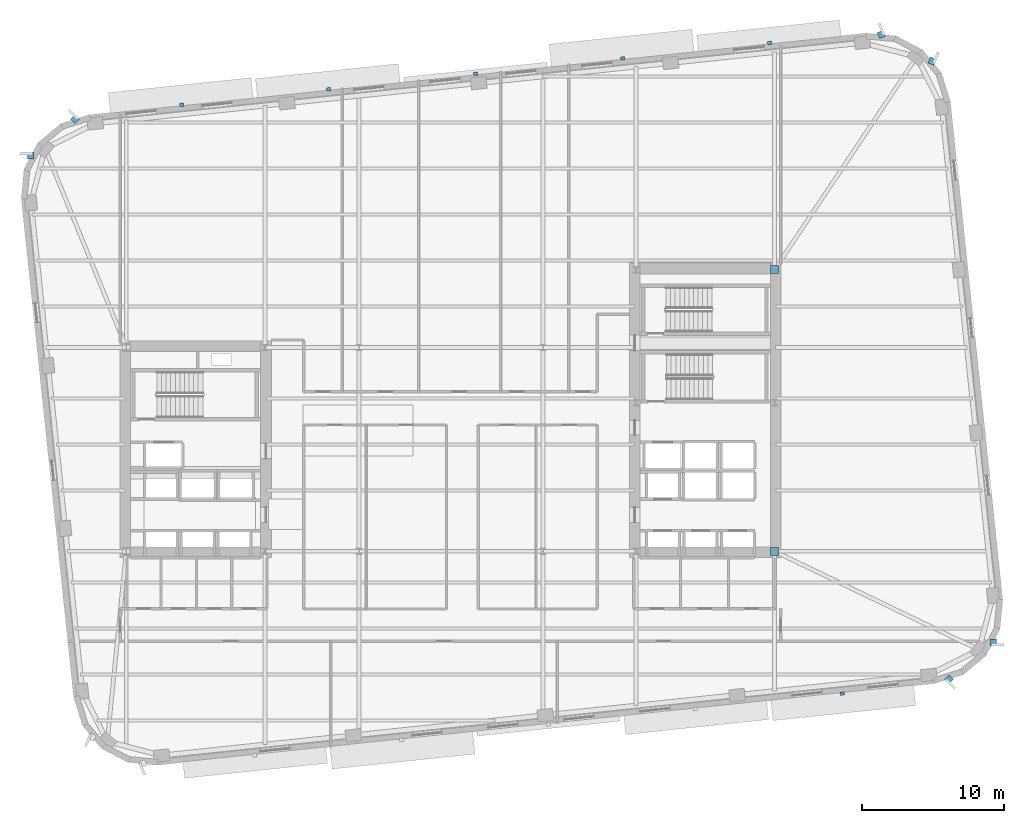
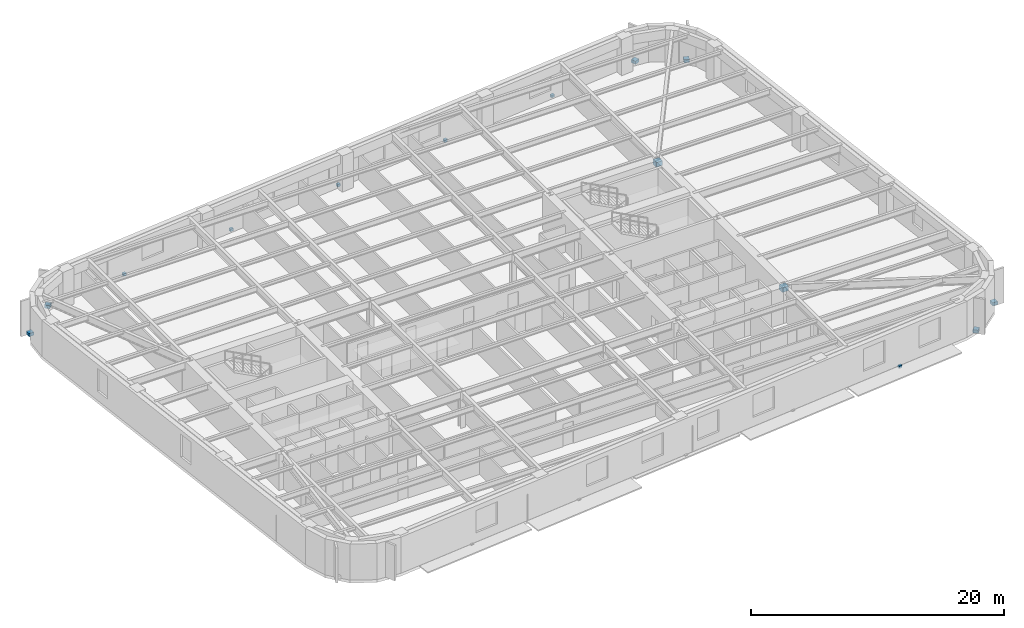
# One storey, part 8 of 15: 14 discrete accessories.
"""IFC4 building model written with IfcOpenShell, lengths in metres."""

from ifc_helpers import new_model, si_unit, direction, frame, origin, origin_2d, place, context, subcontext, project, spatial, rectangle, extrude, material, type_object, element, save


model = new_model("IFC4")

# Units and contexts
model_context = context("Model", 3, precision=1e-05, world=origin(), true_north=direction((0.0, 1.0)))
body_context = subcontext(model_context, "Body", "Model", "MODEL_VIEW")
ifc_project = project(units=[si_unit("LENGTHUNIT", "METRE"), si_unit("AREAUNIT", "SQUARE_METRE"), si_unit("VOLUMEUNIT", "CUBIC_METRE"), si_unit("PLANEANGLEUNIT", "RADIAN"), si_unit("MASSUNIT", "GRAM", prefix="KILO")], contexts=[model_context])

# Site, building, storey
site_placement = place(None, origin())
site = spatial("IfcSite", under=ifc_project, at=site_placement, CompositionType="ELEMENT")
building_placement = place(site_placement, origin())
building = spatial("IfcBuilding", under=site, at=building_placement, Name="Kolvaren Arena Tower", CompositionType="ELEMENT")
storey_placement = place(building_placement, frame((0.0, 0.0, 107.199951171875)))
storey = spatial("IfcBuildingStorey", under=building, at=storey_placement, Name="L24", CompositionType="ELEMENT", Elevation=107.199951171875)

# Discrete accessories
ifc_material_1 = material(Name="Stainless steel facade support bracket", Category="steel")
discrete_accessory_type_1 = type_object("IfcDiscreteAccessoryType", Name="ACC-BRKT-1", PredefinedType="BRACKET", material=ifc_material_1)
for number, where, z_axis, x_axis, name in (
    (1, (72.66943359375, 10.423828125, 0.02001953125), (0.0, 0.0, 1.0), (0.710184146885, -0.704015963962, 0.0), "Corner Fin Anchor Bracket (L24)"),
    (2, (75.7861328125, 13.01611328125, 0.02001953125), (0.0, 0.0, 1.0), (0.999990541547, 0.004349346783, 0.0), "Corner Fin Anchor Bracket (L24)"),
    (3, (71.470703125, 54.07470703125, 0.02001953125), (0.0, 0.0, 1.0), (0.378634078949, 0.925546451702, 0.0), "Corner Fin Anchor Bracket (L24)"),
    (4, (67.88330078125, 55.9619140625, 0.02001953125), (0.0, 0.0, 1.0), (-0.386706132999, 0.922202996472, 0.0), "Corner Fin Anchor Bracket (L24)"),
):
    element("IfcDiscreteAccessory", number, at=place(storey_placement, frame(where, z_axis=z_axis, x_axis=x_axis)), inside=storey, type_object=discrete_accessory_type_1, Name=name, PredefinedType="BRACKET", context=body_context, shape_type="SweptSolid", body=[
        extrude(rectangle(XDim=0.449951171875, YDim=0.449951171875, at=origin_2d()), origin(), (0.0, 0.0, 1.0), 0.300048828125),
    ])
for number, where, z_axis, x_axis, name in (
    (5, (18.468505859375, 50.9951171875, -0.18017578125), (0.0, 0.0, 1.0), (0.994522077803, 0.104526727499, 0.0), "Sunshade Support Bracket (L24)"),
    (6, (28.851318359375, 52.08642578125, -0.18017578125), (0.0, 0.0, 1.0), (0.994522077803, 0.104526727499, 0.0), "Sunshade Support Bracket (L24)"),
    (7, (39.234130859375, 53.177734375, -0.18017578125), (0.0, 0.0, 1.0), (0.994522077803, 0.104526727499, 0.0), "Sunshade Support Bracket (L24)"),
    (8, (49.616943359375, 54.268798828125, -0.18017578125), (0.0, 0.0, 1.0), (0.994522077803, 0.104526727499, 0.0), "Sunshade Support Bracket (L24)"),
    (9, (59.999755859375, 55.360107421875, -0.18017578125), (0.0, 0.0, 1.0), (0.994522077803, 0.104526727499, 0.0), "Sunshade Support Bracket (L24)"),
):
    element("IfcDiscreteAccessory", number, at=place(storey_placement, frame(where, z_axis=z_axis, x_axis=x_axis)), inside=storey, type_object=discrete_accessory_type_1, Name=name, PredefinedType="BRACKET", context=body_context, shape_type="SweptSolid", body=[
        extrude(rectangle(XDim=0.280029296875, YDim=0.239990234375, at=origin_2d()), origin(), (0.0, 0.0, 1.0), 0.239990234375),
    ])
for number, where, z_axis, x_axis, name in (
    (10, (10.930419921875, 49.97607421875, 0.02001953125), (0.0, 0.0, 1.0), (-0.710184146885, 0.704015963962, 0.0), "Corner Fin Anchor Bracket (L24)"),
    (11, (7.81396484375, 47.384033203125, 0.02001953125), (0.0, 0.0, 1.0), (-0.999990541547, -0.004349346783, 0.0), "Corner Fin Anchor Bracket (L24)"),
):
    element("IfcDiscreteAccessory", number, at=place(storey_placement, frame(where, z_axis=z_axis, x_axis=x_axis)), inside=storey, type_object=discrete_accessory_type_1, Name=name, PredefinedType="BRACKET", context=body_context, shape_type="SweptSolid", body=[
        extrude(rectangle(XDim=0.449951171875, YDim=0.449951171875, at=origin_2d()), origin(), (0.0, 0.0, 1.0), 0.300048828125),
    ])
discrete_accessory_placement = place(storey_placement, frame((65.131591796875, 9.40478515625, -0.18017578125), z_axis=(0.0, 0.0, 1.0), x_axis=(-0.994522077803, -0.104526727499, 0.0)))
element("IfcDiscreteAccessory", 12, at=discrete_accessory_placement, inside=storey, type_object=discrete_accessory_type_1, Name="Sunshade Support Bracket (L24)", PredefinedType="BRACKET", context=body_context, shape_type="SweptSolid", body=[
    extrude(rectangle(XDim=0.280029296875, YDim=0.239990234375, at=origin_2d()), origin(), (0.0, 0.0, 1.0), 0.239990234375),
])
ifc_material_2 = material(Name="Steel CSA G40.21 350W bolted gusset connection", Category="steel")
discrete_accessory_type_2 = type_object("IfcDiscreteAccessoryType", Name="ACC-CONN-1", PredefinedType="BRACKET", material=ifc_material_2)
for number, where, z_axis, x_axis, name in (
    (13, (60.35009765625, 19.449951171875, 2.87353515625), (0.0, 0.0, 1.0), (1.0, 0.0, 0.0), "Core Wall Cast-In Embed Plate EP1 (L24)"),
    (14, (60.35009765625, 39.35009765625, 2.87353515625), (0.0, 0.0, 1.0), (1.0, 0.0, 0.0), "Core Wall Cast-In Embed Plate EP1 (L24)"),
):
    element("IfcDiscreteAccessory", number, at=place(storey_placement, frame(where, z_axis=z_axis, x_axis=x_axis)), inside=storey, type_object=discrete_accessory_type_2, Name=name, PredefinedType="BRACKET", context=body_context, shape_type="SweptSolid", body=[
        extrude(rectangle(XDim=0.56005859375, YDim=0.56005859375, at=origin_2d()), origin(), (0.0, 0.0, 1.0), 0.43994140625),
    ])

save(model, "model.ifc")
